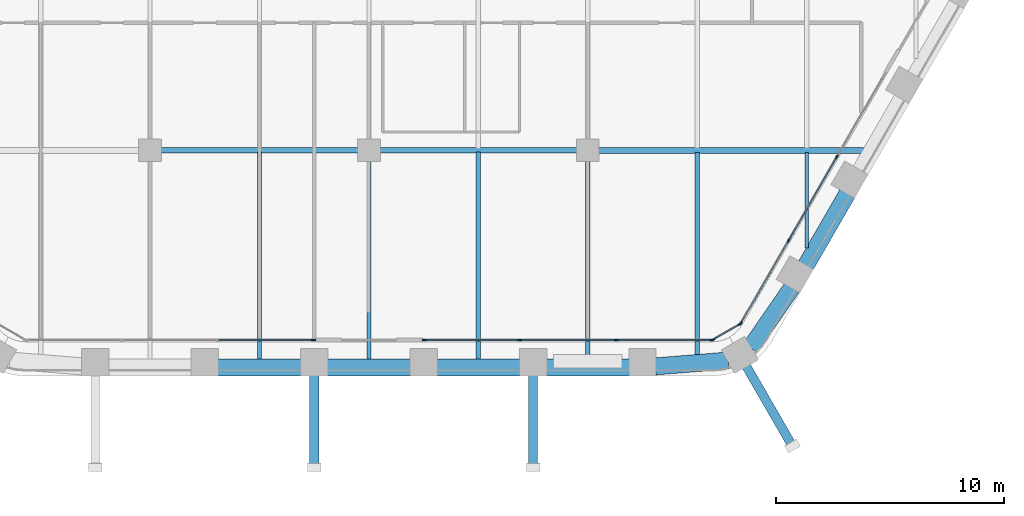
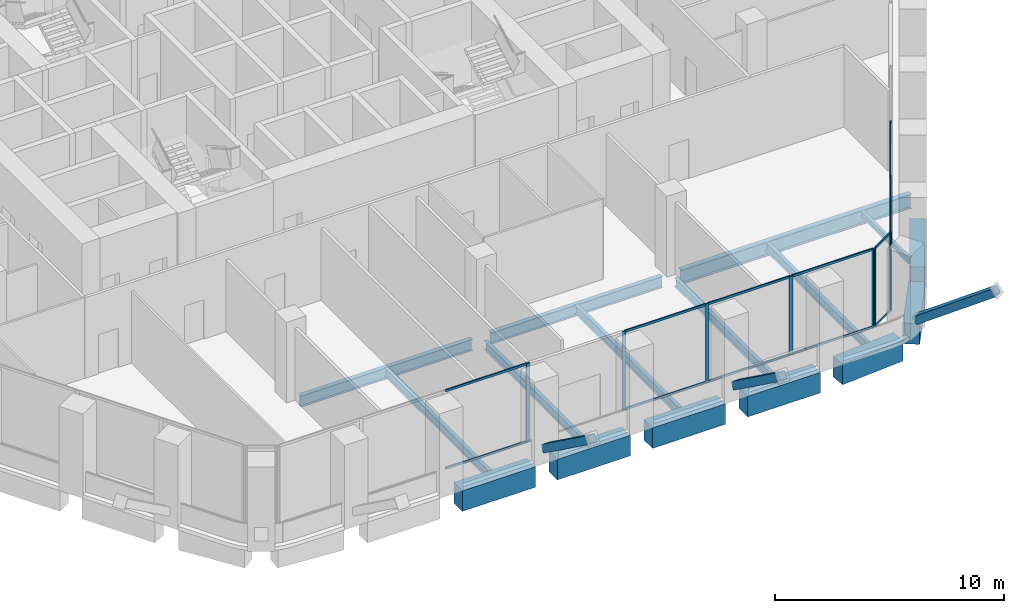
# One storey, part 4 of 26: 27 members, 16 beams, 4 elements without a shape of their own.
"""IFC4 building model written with IfcOpenShell, lengths in metres."""

from ifc_helpers import new_model, si_unit, direction, frame, origin, origin_2d, place, context, subcontext, project, spatial, rectangle, hollow_rectangle, i_section, extrude, material, material_profile, profile_set, type_object, element, aggregate, save


model = new_model("IFC4")

# Units and contexts
model_context = context("Model", 3, precision=1e-05, world=origin(), true_north=direction((0.0, 1.0)))
body_context = subcontext(model_context, "Body", "Model", "MODEL_VIEW")
ifc_project = project(units=[si_unit("LENGTHUNIT", "METRE"), si_unit("AREAUNIT", "SQUARE_METRE"), si_unit("VOLUMEUNIT", "CUBIC_METRE"), si_unit("PLANEANGLEUNIT", "RADIAN"), si_unit("MASSUNIT", "GRAM", prefix="KILO")], contexts=[model_context])

# Site, building, storey
site_placement = place(None, origin())
site = spatial("IfcSite", under=ifc_project, at=site_placement, CompositionType="ELEMENT")
building_placement = place(site_placement, origin())
building = spatial("IfcBuilding", under=site, at=building_placement, Name="Kolab Exchange Tower", CompositionType="ELEMENT")
storey_placement = place(building_placement, frame((0.0, 0.0, 104.89990234375)))
storey = spatial("IfcBuildingStorey", under=building, at=storey_placement, Name="L20", CompositionType="ELEMENT", Elevation=104.89990234375)

# Beams
ifc_material_1 = material(Name="Steel S355", Category="steel")
ifc_material_profile_1 = material_profile(ifc_material_1, i_section(OverallWidth=0.1650390625, OverallDepth=0.31005859375, WebThickness=0.005859375, FlangeThickness=0.009765625, at=origin_2d()), Name="W310X39")
ifc_profile_set_1 = profile_set([ifc_material_profile_1], Name="Steel S355")
beam_type_1 = type_object("IfcBeamType", Name="FLOOR BEAM W310X39", PredefinedType="BEAM", material=ifc_profile_set_1)
beam_1_placement = place(storey_placement, frame((19.199951171875, -23.4814453125, -0.35498046875), z_axis=(0.0, 1.0, 0.0), x_axis=(-1.0, 0.0, 0.0)))
element("IfcBeam", 1, at=beam_1_placement, inside=storey, type_object=beam_type_1, Name="beam/L20/fr/040", PredefinedType="BEAM", context=body_context, shape_type="SweptSolid", body=[
    extrude(i_section(OverallWidth=0.1650390625, OverallDepth=0.31005859375, WebThickness=0.005859375, FlangeThickness=0.009765625, at=origin_2d()), origin(), (0.0, 0.0, 1.0), 4.18798828125),
])
ifc_material_profile_2 = material_profile(ifc_material_1, i_section(OverallWidth=0.18994140625, OverallDepth=0.45703125, WebThickness=0.009033203125, FlangeThickness=0.014404296875, at=origin_2d()), Name="W460X74")
ifc_profile_set_2 = profile_set([ifc_material_profile_2], Name="Steel S355")
beam_type_2 = type_object("IfcBeamType", Name="FLOOR BEAM W460X74", PredefinedType="BEAM", material=ifc_profile_set_2)
beam_2_placement = place(storey_placement, frame((-4.800048828125, -28.388427734375, -0.428466796875), z_axis=(0.0, 1.0, 0.0), x_axis=(-1.0, 0.0, 0.0)))
element("IfcBeam", 2, at=beam_2_placement, inside=storey, type_object=beam_type_2, Name="beam/L20/fr/020", PredefinedType="BEAM", context=body_context, shape_type="SweptSolid", body=[
    extrude(i_section(OverallWidth=0.18994140625, OverallDepth=0.45703125, WebThickness=0.009033203125, FlangeThickness=0.014404296875, at=origin_2d()), origin(), (0.0, 0.0, 1.0), 9.114501953125),
])
beam_3_placement = place(storey_placement, frame((0.0, -28.388427734375, -0.428466796875), z_axis=(0.0, 1.0, 0.0), x_axis=(-1.0, 0.0, 0.0)))
element("IfcBeam", 3, at=beam_3_placement, inside=storey, type_object=beam_type_2, Name="beam/L20/fr/024", PredefinedType="BEAM", context=body_context, shape_type="SweptSolid", body=[
    extrude(i_section(OverallWidth=0.18994140625, OverallDepth=0.45703125, WebThickness=0.009033203125, FlangeThickness=0.014404296875, at=origin_2d()), origin(), (0.0, 0.0, 1.0), 8.728515625),
])
beam_4_placement = place(storey_placement, frame((4.800048828125, -28.388427734375, -0.428466796875), z_axis=(0.0, 1.0, 0.0), x_axis=(-1.0, 0.0, 0.0)))
element("IfcBeam", 4, at=beam_4_placement, inside=storey, type_object=beam_type_2, Name="beam/L20/fr/028", PredefinedType="BEAM", context=body_context, shape_type="SweptSolid", body=[
    extrude(i_section(OverallWidth=0.18994140625, OverallDepth=0.45703125, WebThickness=0.009033203125, FlangeThickness=0.014404296875, at=origin_2d()), origin(), (0.0, 0.0, 1.0), 9.114501953125),
])
beam_5_placement = place(storey_placement, frame((9.60009765625, -28.388427734375, -0.428466796875), z_axis=(0.0, 1.0, 0.0), x_axis=(-1.0, 0.0, 0.0)))
element("IfcBeam", 5, at=beam_5_placement, inside=storey, type_object=beam_type_2, Name="beam/L20/fr/032", PredefinedType="BEAM", context=body_context, shape_type="SweptSolid", body=[
    extrude(i_section(OverallWidth=0.18994140625, OverallDepth=0.45703125, WebThickness=0.009033203125, FlangeThickness=0.014404296875, at=origin_2d()), origin(), (0.0, 0.0, 1.0), 8.728515625),
])
beam_6_placement = place(storey_placement, frame((14.39990234375, -28.194580078125, -0.428466796875), z_axis=(0.0, 1.0, 0.0), x_axis=(-1.0, 0.0, 0.0)))
element("IfcBeam", 6, at=beam_6_placement, inside=storey, type_object=beam_type_2, Name="beam/L20/fr/036", PredefinedType="BEAM", context=body_context, shape_type="SweptSolid", body=[
    extrude(i_section(OverallWidth=0.18994140625, OverallDepth=0.45703125, WebThickness=0.009033203125, FlangeThickness=0.014404296875, at=origin_2d()), origin(), (0.0, 0.0, 1.0), 8.901123046875),
])
ifc_material_profile_3 = material_profile(ifc_material_1, i_section(OverallWidth=0.22802734375, OverallDepth=0.60791015625, WebThickness=0.01123046875, FlangeThickness=0.017333984375, at=origin_2d()), Name="W610X113")
ifc_profile_set_3 = profile_set([ifc_material_profile_3], Name="Steel S355")
beam_type_3 = type_object("IfcBeamType", Name="FLOOR GIRDER W610X113", PredefinedType="BEAM", material=ifc_profile_set_3)
for number, where, z_axis, x_axis, name in (
    (7, (-9.139892578125, -19.199951171875, -0.50390625), (1.0, 0.0, 0.0), (0.0, 1.0, 0.0), "beam/L20/gd/008"),
    (8, (0.4599609375, -19.199951171875, -0.50390625), (1.0, 0.0, 0.0), (0.0, 1.0, 0.0), "beam/L20/gd/010"),
):
    element("IfcBeam", number, at=place(storey_placement, frame(where, z_axis=z_axis, x_axis=x_axis)), inside=storey, type_object=beam_type_3, Name=name, PredefinedType="BEAM", context=body_context, shape_type="SweptSolid", body=[
        extrude(i_section(OverallWidth=0.22802734375, OverallDepth=0.60791015625, WebThickness=0.01123046875, FlangeThickness=0.017333984375, at=origin_2d()), origin(), (0.0, 0.0, 1.0), 8.679931640625),
    ])
ifc_material_profile_4 = material_profile(ifc_material_1, i_section(OverallWidth=0.26708984375, OverallDepth=0.761962890625, WebThickness=0.014404296875, FlangeThickness=0.021484375, at=origin_2d()), Name="W760X173")
ifc_profile_set_4 = profile_set([ifc_material_profile_4], Name="Steel S355")
beam_type_4 = type_object("IfcBeamType", Name="FLOOR GIRDER W760X173", PredefinedType="BEAM", material=ifc_profile_set_4)
beam_7_placement = place(storey_placement, frame((10.06005859375, -19.199951171875, -0.580810546875), z_axis=(1.0, 0.0, 0.0), x_axis=(0.0, 1.0, 0.0)))
element("IfcBeam", 9, at=beam_7_placement, inside=storey, type_object=beam_type_4, Name="beam/L20/gd/012", PredefinedType="BEAM", context=body_context, shape_type="SweptSolid", body=[
    extrude(i_section(OverallWidth=0.26708984375, OverallDepth=0.761962890625, WebThickness=0.014404296875, FlangeThickness=0.021484375, at=origin_2d()), origin(), (0.0, 0.0, 1.0), 11.628662109375),
])

# Members
ifc_material_profile_5 = material_profile(ifc_material_1, hollow_rectangle(XDim=0.39990234375, YDim=0.39990234375, WallThickness=0.02001953125, at=origin_2d()), Name="HSS400X400X20")
ifc_profile_set_5 = profile_set([ifc_material_profile_5], Name="Steel S355")
member_type_1 = type_object("IfcMemberType", Name="LEDGE STRUT HSS400X400X20", PredefinedType="STRUT", material=ifc_profile_set_5)
member_1_placement = place(storey_placement, frame((16.5478515625, -28.661865234375, 0.60009765625), z_axis=(0.40533170136, -0.702055669831, 0.585511783255), x_axis=(0.866025579307, 0.499999695987, 0.0)))
element("IfcMember", 10, at=member_1_placement, inside=storey, type_object=member_type_1, Name="mem/L20/ledge/strut-0", PredefinedType="STRUT", context=body_context, shape_type="SweptSolid", body=[
    extrude(hollow_rectangle(XDim=0.39990234375, YDim=0.39990234375, WallThickness=0.02001953125, at=origin_2d()), origin(), (0.0, 0.0, 1.0), 4.983642578125),
])
for number, where, z_axis, x_axis, name in (
    (11, (7.199951171875, -29.05859375, 0.60009765625), (0.0, -0.810646931153, 0.585535270511), (1.0, 0.0, 0.0), "mem/L20/ledge/strut-1"),
    (12, (-2.39990234375, -29.05859375, 0.60009765625), (0.0, -0.810646931153, 0.585535270511), (1.0, 0.0, 0.0), "mem/L20/ledge/strut-2"),
):
    element("IfcMember", number, at=place(storey_placement, frame(where, z_axis=z_axis, x_axis=x_axis)), inside=storey, type_object=member_type_1, Name=name, PredefinedType="STRUT", context=body_context, shape_type="SweptSolid", body=[
        extrude(hollow_rectangle(XDim=0.39990234375, YDim=0.39990234375, WallThickness=0.02001953125, at=origin_2d()), origin(), (0.0, 0.0, 1.0), 4.9833984375),
    ])

# Beams
ifc_material_2 = material(Name="Concrete C70/85", Category="concrete")
ifc_material_profile_6 = material_profile(ifc_material_2, rectangle(XDim=0.75, YDim=1.10009765625, at=origin_2d()), Name="RC750X1100")
ifc_profile_set_6 = profile_set([ifc_material_profile_6], Name="Concrete C70/85")
beam_type_5 = type_object("IfcBeamType", Name="SPANDREL BEAM 750X1100 C70/85", PredefinedType="BEAM", material=ifc_profile_set_6)
beam_8_placement = place(storey_placement, frame((20.995361328125, -21.08203125, -0.75), z_axis=(-0.500013413428, -0.866017659399, 0.0), x_axis=(0.866017659399, -0.500013413428, 0.0)))
element("IfcBeam", 13, at=beam_8_placement, inside=storey, type_object=beam_type_5, Name="beam/L20/sp/F3-06", PredefinedType="BEAM", context=body_context, shape_type="SweptSolid", body=[
    extrude(rectangle(XDim=0.75, YDim=1.10009765625, at=origin_2d()), origin(), (0.0, 0.0, 1.0), 3.68017578125),
])
for number, where, z_axis, x_axis, name in (
    (14, (18.55615234375, -25.216552734375, -0.75), (-0.567661826262, -0.823261836237, 0.0), (0.823261836237, -0.567661826262, 0.0), "beam/L20/sp/F3-07"),
    (15, (15.75830078125, -28.421630859375, -0.75), (-0.996791038408, -0.080047646748, 0.0), (0.080047646748, -0.996791038408, 0.0), "beam/L20/sp/F4-01"),
):
    element("IfcBeam", number, at=place(storey_placement, frame(where, z_axis=z_axis, x_axis=x_axis)), inside=storey, type_object=beam_type_5, Name=name, PredefinedType="BEAM", context=body_context, shape_type="SweptSolid", body=[
        extrude(rectangle(XDim=0.75, YDim=1.10009765625, at=origin_2d()), origin(), (0.0, 0.0, 1.0), 3.20849609375),
    ])
for number, where, z_axis, x_axis, name in (
    (16, (11.43994140625, -28.723388671875, -0.75), (-1.0, 0.0, 0.0), (0.0, -1.0, 0.0), "beam/L20/sp/F4-02"),
    (17, (6.639892578125, -28.723388671875, -0.75), (-1.0, 0.0, 0.0), (0.0, -1.0, 0.0), "beam/L20/sp/F4-03"),
):
    element("IfcBeam", number, at=place(storey_placement, frame(where, z_axis=z_axis, x_axis=x_axis)), inside=storey, type_object=beam_type_5, Name=name, PredefinedType="BEAM", context=body_context, shape_type="SweptSolid", body=[
        extrude(rectangle(XDim=0.75, YDim=1.10009765625, at=origin_2d()), origin(), (0.0, 0.0, 1.0), 3.679931640625),
    ])
beam_9_placement = place(storey_placement, frame((1.840087890625, -28.723388671875, -0.75), z_axis=(-1.0, 0.0, 0.0), x_axis=(0.0, -1.0, 0.0)))
element("IfcBeam", 18, at=beam_9_placement, inside=storey, type_object=beam_type_5, Name="beam/L20/sp/F4-04", PredefinedType="BEAM", context=body_context, shape_type="SweptSolid", body=[
    extrude(rectangle(XDim=0.75, YDim=1.10009765625, at=origin_2d()), origin(), (0.0, 0.0, 1.0), 3.68017578125),
])
beam_10_placement = place(storey_placement, frame((-2.9599609375, -28.723388671875, -0.75), z_axis=(-1.0, 0.0, 0.0), x_axis=(0.0, -1.0, 0.0)))
element("IfcBeam", 19, at=beam_10_placement, inside=storey, type_object=beam_type_5, Name="beam/L20/sp/F4-05", PredefinedType="BEAM", context=body_context, shape_type="SweptSolid", body=[
    extrude(rectangle(XDim=0.75, YDim=1.10009765625, at=origin_2d()), origin(), (0.0, 0.0, 1.0), 3.679931640625),
])

# Curtain wall, members
ifc_material_3 = material(Name="Aluminium EN AW-6063 T6", Category="aluminium")
curtain_wall_type = type_object("IfcCurtainWallType", Name="UNITISED LOWER MID ZONE CURTAIN WALL", PredefinedType="NOTDEFINED", material=ifc_material_3)
curtain_wall_1_placement = place(storey_placement, origin())
curtain_wall_1 = element("IfcCurtainWall", 20, at=curtain_wall_1_placement, inside=storey, type_object=curtain_wall_type, Name="cw/L20/F3-2", PredefinedType="NOTDEFINED")
ifc_material_profile_7 = material_profile(ifc_material_3, rectangle(XDim=0.06005859375, YDim=0.179931640625, at=origin_2d()), Name="RECT 60X180")
ifc_profile_set_7 = profile_set([ifc_material_profile_7], Name="Aluminium EN AW-6063 T6")
member_type_2 = type_object("IfcMemberType", Name="UNITISED LOWER MID ZONE MULLION 60 X 180", PredefinedType="MULLION", material=ifc_profile_set_7)
member_2_placement = place(storey_placement, frame((20.520263671875, -19.49462890625, 0.0), z_axis=(0.0, 0.0, 1.0), x_axis=(0.866025393644, -0.500000017564, 0.0)))
member_2 = element("IfcMember", 21, at=member_2_placement, type_object=member_type_2, Name="CW2 mullion 2", PredefinedType="MULLION", context=body_context, shape_type="SweptSolid", body=[
    extrude(rectangle(XDim=0.06005859375, YDim=0.179931640625, at=origin_2d()), origin(), (0.0, 0.0, 1.0), 4.2001953125),
])
member_3_placement = place(storey_placement, frame((18.408935546875, -23.151611328125, 0.0), z_axis=(0.0, 0.0, 1.0), x_axis=(0.866025393644, -0.500000017564, 0.0)))
member_3 = element("IfcMember", 22, at=member_3_placement, type_object=member_type_2, Name="CW2 mullion 3", PredefinedType="MULLION", context=body_context, shape_type="SweptSolid", body=[
    extrude(rectangle(XDim=0.06005859375, YDim=0.179931640625, at=origin_2d()), origin(), (0.0, 0.0, 1.0), 4.2001953125),
])
member_4_placement = place(storey_placement, frame((16.312744140625, -26.782470703125, 0.0), z_axis=(0.0, 0.0, 1.0), x_axis=(0.866025393644, -0.500000017564, 0.0)))
member_4 = element("IfcMember", 23, at=member_4_placement, type_object=member_type_2, Name="CW2 mullion 4", PredefinedType="MULLION", context=body_context, shape_type="SweptSolid", body=[
    extrude(rectangle(XDim=0.06005859375, YDim=0.179931640625, at=origin_2d()), origin(), (0.0, 0.0, 1.0), 4.2001953125),
])

curtain_wall_2_placement = place(storey_placement, origin())
curtain_wall_2 = element("IfcCurtainWall", 24, at=curtain_wall_2_placement, inside=storey, type_object=curtain_wall_type, Name="cw/L20/F4-1", PredefinedType="NOTDEFINED")
member_5_placement = place(storey_placement, frame((15.037841796875, -27.5185546875, 0.0), z_axis=(0.0, 0.0, 1.0), x_axis=(0.0, -1.0, 0.0)))
member_5 = element("IfcMember", 25, at=member_5_placement, type_object=member_type_2, Name="CW2 mullion 1", PredefinedType="MULLION", context=body_context, shape_type="SweptSolid", body=[
    extrude(rectangle(XDim=0.06005859375, YDim=0.179931640625, at=origin_2d()), origin(), (0.0, 0.0, 1.0), 4.2001953125),
])
member_6_placement = place(storey_placement, frame((10.84521484375, -27.5185546875, 0.0), z_axis=(0.0, 0.0, 1.0), x_axis=(0.0, -1.0, 0.0)))
member_6 = element("IfcMember", 26, at=member_6_placement, type_object=member_type_2, Name="CW2 mullion 2", PredefinedType="MULLION", context=body_context, shape_type="SweptSolid", body=[
    extrude(rectangle(XDim=0.06005859375, YDim=0.179931640625, at=origin_2d()), origin(), (0.0, 0.0, 1.0), 4.2001953125),
])
member_7_placement = place(storey_placement, frame((6.62255859375, -27.5185546875, 0.0), z_axis=(0.0, 0.0, 1.0), x_axis=(0.0, -1.0, 0.0)))
member_7 = element("IfcMember", 27, at=member_7_placement, type_object=member_type_2, Name="CW2 mullion 3", PredefinedType="MULLION", context=body_context, shape_type="SweptSolid", body=[
    extrude(rectangle(XDim=0.06005859375, YDim=0.179931640625, at=origin_2d()), origin(), (0.0, 0.0, 1.0), 4.2001953125),
])
member_8_placement = place(storey_placement, frame((2.429931640625, -27.5185546875, 0.0), z_axis=(0.0, 0.0, 1.0), x_axis=(0.0, -1.0, 0.0)))
member_8 = element("IfcMember", 28, at=member_8_placement, type_object=member_type_2, Name="CW2 mullion 4", PredefinedType="MULLION", context=body_context, shape_type="SweptSolid", body=[
    extrude(rectangle(XDim=0.06005859375, YDim=0.179931640625, at=origin_2d()), origin(), (0.0, 0.0, 1.0), 4.2001953125),
])

# Curtain wall, member
curtain_wall_3_placement = place(storey_placement, origin())
curtain_wall_3 = element("IfcCurtainWall", 29, at=curtain_wall_3_placement, inside=storey, type_object=curtain_wall_type, Name="cw/L20/F4-2", PredefinedType="NOTDEFINED")
member_9_placement = place(storey_placement, frame((-2.429931640625, -27.5185546875, 0.0), z_axis=(0.0, 0.0, 1.0), x_axis=(0.0, -1.0, 0.0)))
member_9 = element("IfcMember", 30, at=member_9_placement, type_object=member_type_2, Name="CW2 mullion 1", PredefinedType="MULLION", context=body_context, shape_type="SweptSolid", body=[
    extrude(rectangle(XDim=0.06005859375, YDim=0.179931640625, at=origin_2d()), origin(), (0.0, 0.0, 1.0), 4.2001953125),
])

# Curtain wall, members
curtain_wall_4_placement = place(storey_placement, origin())
curtain_wall_4 = element("IfcCurtainWall", 31, at=curtain_wall_4_placement, inside=storey, type_object=curtain_wall_type, Name="cw/L20/F3F4-corner", PredefinedType="NOTDEFINED")
member_10_placement = place(storey_placement, frame((16.271728515625, -26.823486328125, 0.0), z_axis=(0.0, 0.0, 1.0), x_axis=(0.50000002237, -0.866025390869, 0.0)))
member_10 = element("IfcMember", 32, at=member_10_placement, type_object=member_type_2, Name="CW2 mullion 1", PredefinedType="MULLION", context=body_context, shape_type="SweptSolid", body=[
    extrude(rectangle(XDim=0.06005859375, YDim=0.179931640625, at=origin_2d()), origin(), (0.0, 0.0, 1.0), 4.2001953125),
])
member_11_placement = place(storey_placement, frame((15.093994140625, -27.50341796875, 0.0), z_axis=(0.0, 0.0, 1.0), x_axis=(0.50000002237, -0.866025390869, 0.0)))
member_11 = element("IfcMember", 33, at=member_11_placement, type_object=member_type_2, Name="CW2 mullion 2", PredefinedType="MULLION", context=body_context, shape_type="SweptSolid", body=[
    extrude(rectangle(XDim=0.06005859375, YDim=0.179931640625, at=origin_2d()), origin(), (0.0, 0.0, 1.0), 4.2001953125),
])

# Member
ifc_material_profile_8 = material_profile(ifc_material_3, rectangle(XDim=0.06005859375, YDim=0.1201171875, at=origin_2d()), Name="RECT 60X120")
ifc_profile_set_8 = profile_set([ifc_material_profile_8], Name="Aluminium EN AW-6063 T6")
member_type_3 = type_object("IfcMemberType", Name="UNITISED LOWER MID ZONE TRANSOM 60 X 120", PredefinedType="USERDEFINED", material=ifc_profile_set_8)
member_12_placement = place(storey_placement, frame((20.50537109375, -19.5205078125, 0.030029296875), z_axis=(-0.49999322259, -0.866029316688, 0.0), x_axis=(0.866029316688, -0.49999322259, 0.0)))
member_12 = element("IfcMember", 34, at=member_12_placement, type_object=member_type_3, Name="CW2 transom 2.1", ObjectType="TRANSOM", PredefinedType="USERDEFINED", context=body_context, shape_type="SweptSolid", body=[
    extrude(rectangle(XDim=0.06005859375, YDim=0.1201171875, at=origin_2d()), origin(), (0.0, 0.0, 1.0), 4.16259765625),
])

member_13_placement = place(storey_placement, frame((20.50537109375, -19.5205078125, 4.170166015625), z_axis=(-0.49999322259, -0.866029316688, 0.0), x_axis=(0.866029316688, -0.49999322259, 0.0)))
member_13 = element("IfcMember", 35, at=member_13_placement, type_object=member_type_3, Name="CW2 transom 2.2", ObjectType="TRANSOM", PredefinedType="USERDEFINED", context=body_context, shape_type="SweptSolid", body=[
    extrude(rectangle(XDim=0.06005859375, YDim=0.1201171875, at=origin_2d()), origin(), (0.0, 0.0, 1.0), 4.16259765625),
])

member_14_placement = place(storey_placement, frame((18.39404296875, -23.177490234375, 0.030029296875), z_axis=(-0.500001996123, -0.866024251319, 0.0), x_axis=(0.866024251319, -0.500001996123, 0.0)))
member_14 = element("IfcMember", 36, at=member_14_placement, type_object=member_type_3, Name="CW2 transom 3.1", ObjectType="TRANSOM", PredefinedType="USERDEFINED", context=body_context, shape_type="SweptSolid", body=[
    extrude(rectangle(XDim=0.06005859375, YDim=0.1201171875, at=origin_2d()), origin(), (0.0, 0.0, 1.0), 4.1328125),
])

member_15_placement = place(storey_placement, frame((18.39404296875, -23.177490234375, 4.170166015625), z_axis=(-0.500001996123, -0.866024251319, 0.0), x_axis=(0.866024251319, -0.500001996123, 0.0)))
member_15 = element("IfcMember", 37, at=member_15_placement, type_object=member_type_3, Name="CW2 transom 3.2", ObjectType="TRANSOM", PredefinedType="USERDEFINED", context=body_context, shape_type="SweptSolid", body=[
    extrude(rectangle(XDim=0.06005859375, YDim=0.1201171875, at=origin_2d()), origin(), (0.0, 0.0, 1.0), 4.1328125),
])

aggregate(curtain_wall_1, [member_2, member_3, member_4, member_12, member_13, member_14, member_15])

member_16_placement = place(storey_placement, frame((15.008056640625, -27.5185546875, 0.030029296875), z_axis=(-1.0, 0.0, 0.0), x_axis=(0.0, -1.0, 0.0)))
member_16 = element("IfcMember", 38, at=member_16_placement, type_object=member_type_3, Name="CW2 transom 1.1", ObjectType="TRANSOM", PredefinedType="USERDEFINED", context=body_context, shape_type="SweptSolid", body=[
    extrude(rectangle(XDim=0.06005859375, YDim=0.1201171875, at=origin_2d()), origin(), (0.0, 0.0, 1.0), 4.1328125),
])

member_17_placement = place(storey_placement, frame((15.008056640625, -27.5185546875, 4.170166015625), z_axis=(-1.0, 0.0, 0.0), x_axis=(0.0, -1.0, 0.0)))
member_17 = element("IfcMember", 39, at=member_17_placement, type_object=member_type_3, Name="CW2 transom 1.2", ObjectType="TRANSOM", PredefinedType="USERDEFINED", context=body_context, shape_type="SweptSolid", body=[
    extrude(rectangle(XDim=0.06005859375, YDim=0.1201171875, at=origin_2d()), origin(), (0.0, 0.0, 1.0), 4.1328125),
])

member_18_placement = place(storey_placement, frame((10.815185546875, -27.5185546875, 0.030029296875), z_axis=(-1.0, 0.0, 0.0), x_axis=(0.0, -1.0, 0.0)))
member_18 = element("IfcMember", 40, at=member_18_placement, type_object=member_type_3, Name="CW2 transom 2.1", ObjectType="TRANSOM", PredefinedType="USERDEFINED", context=body_context, shape_type="SweptSolid", body=[
    extrude(rectangle(XDim=0.06005859375, YDim=0.1201171875, at=origin_2d()), origin(), (0.0, 0.0, 1.0), 4.16259765625),
])

member_19_placement = place(storey_placement, frame((10.815185546875, -27.5185546875, 4.170166015625), z_axis=(-1.0, 0.0, 0.0), x_axis=(0.0, -1.0, 0.0)))
member_19 = element("IfcMember", 41, at=member_19_placement, type_object=member_type_3, Name="CW2 transom 2.2", ObjectType="TRANSOM", PredefinedType="USERDEFINED", context=body_context, shape_type="SweptSolid", body=[
    extrude(rectangle(XDim=0.06005859375, YDim=0.1201171875, at=origin_2d()), origin(), (0.0, 0.0, 1.0), 4.16259765625),
])

member_20_placement = place(storey_placement, frame((6.592529296875, -27.5185546875, 0.030029296875), z_axis=(-1.0, 0.0, 0.0), x_axis=(0.0, -1.0, 0.0)))
member_20 = element("IfcMember", 42, at=member_20_placement, type_object=member_type_3, Name="CW2 transom 3.1", ObjectType="TRANSOM", PredefinedType="USERDEFINED", context=body_context, shape_type="SweptSolid", body=[
    extrude(rectangle(XDim=0.06005859375, YDim=0.1201171875, at=origin_2d()), origin(), (0.0, 0.0, 1.0), 4.132568359375),
])

member_21_placement = place(storey_placement, frame((6.592529296875, -27.5185546875, 4.170166015625), z_axis=(-1.0, 0.0, 0.0), x_axis=(0.0, -1.0, 0.0)))
member_21 = element("IfcMember", 43, at=member_21_placement, type_object=member_type_3, Name="CW2 transom 3.2", ObjectType="TRANSOM", PredefinedType="USERDEFINED", context=body_context, shape_type="SweptSolid", body=[
    extrude(rectangle(XDim=0.06005859375, YDim=0.1201171875, at=origin_2d()), origin(), (0.0, 0.0, 1.0), 4.132568359375),
])

aggregate(curtain_wall_2, [member_5, member_6, member_7, member_8, member_16, member_17, member_18, member_19, member_20, member_21])

member_22_placement = place(storey_placement, frame((-2.4599609375, -27.5185546875, 0.030029296875), z_axis=(-1.0, 0.0, 0.0), x_axis=(0.0, -1.0, 0.0)))
member_22 = element("IfcMember", 44, at=member_22_placement, type_object=member_type_3, Name="CW2 transom 1.1", ObjectType="TRANSOM", PredefinedType="USERDEFINED", context=body_context, shape_type="SweptSolid", body=[
    extrude(rectangle(XDim=0.06005859375, YDim=0.1201171875, at=origin_2d()), origin(), (0.0, 0.0, 1.0), 4.132568359375),
])

member_23_placement = place(storey_placement, frame((-2.4599609375, -27.5185546875, 4.170166015625), z_axis=(-1.0, 0.0, 0.0), x_axis=(0.0, -1.0, 0.0)))
member_23 = element("IfcMember", 45, at=member_23_placement, type_object=member_type_3, Name="CW2 transom 1.2", ObjectType="TRANSOM", PredefinedType="USERDEFINED", context=body_context, shape_type="SweptSolid", body=[
    extrude(rectangle(XDim=0.06005859375, YDim=0.1201171875, at=origin_2d()), origin(), (0.0, 0.0, 1.0), 4.132568359375),
])

aggregate(curtain_wall_3, [member_9, member_22, member_23])

member_24_placement = place(storey_placement, frame((16.245849609375, -26.83837890625, 0.030029296875), z_axis=(-0.866004217611, -0.500036693733, 0.0), x_axis=(0.500036693733, -0.866004217611, 0.0)))
member_24 = element("IfcMember", 46, at=member_24_placement, type_object=member_type_3, Name="CW2 transom 1.1", ObjectType="TRANSOM", PredefinedType="USERDEFINED", context=body_context, shape_type="SweptSolid", body=[
    extrude(rectangle(XDim=0.06005859375, YDim=0.1201171875, at=origin_2d()), origin(), (0.0, 0.0, 1.0), 1.30029296875),
])

member_25_placement = place(storey_placement, frame((16.245849609375, -26.83837890625, 4.170166015625), z_axis=(-0.866004217611, -0.500036693733, 0.0), x_axis=(0.500036693733, -0.866004217611, 0.0)))
member_25 = element("IfcMember", 47, at=member_25_placement, type_object=member_type_3, Name="CW2 transom 1.2", ObjectType="TRANSOM", PredefinedType="USERDEFINED", context=body_context, shape_type="SweptSolid", body=[
    extrude(rectangle(XDim=0.06005859375, YDim=0.1201171875, at=origin_2d()), origin(), (0.0, 0.0, 1.0), 1.30029296875),
])

aggregate(curtain_wall_4, [member_10, member_11, member_24, member_25])

save(model, "model.ifc")
